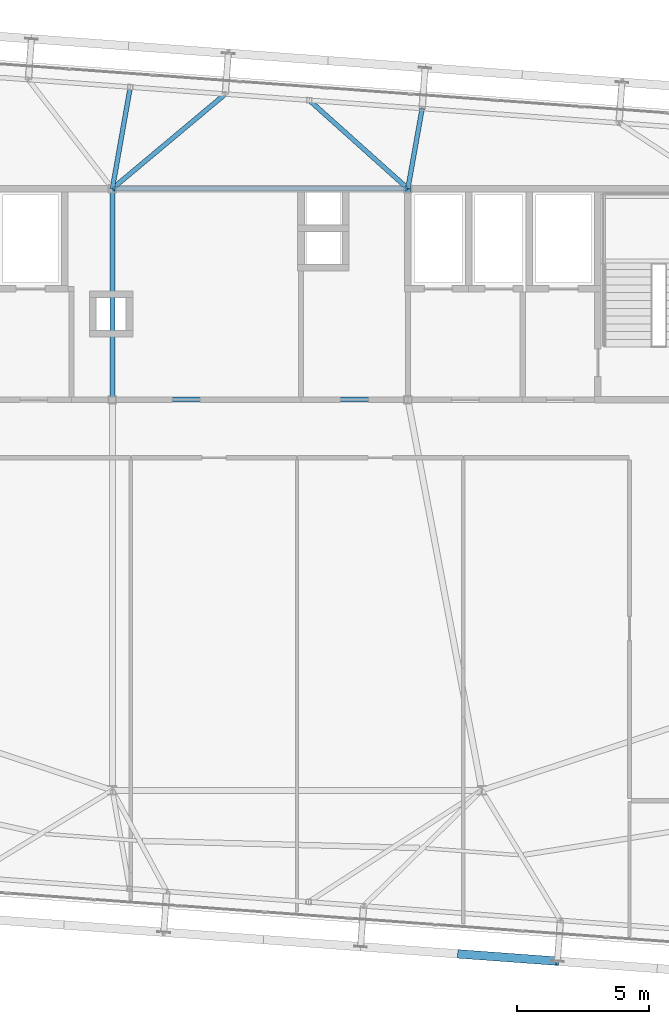
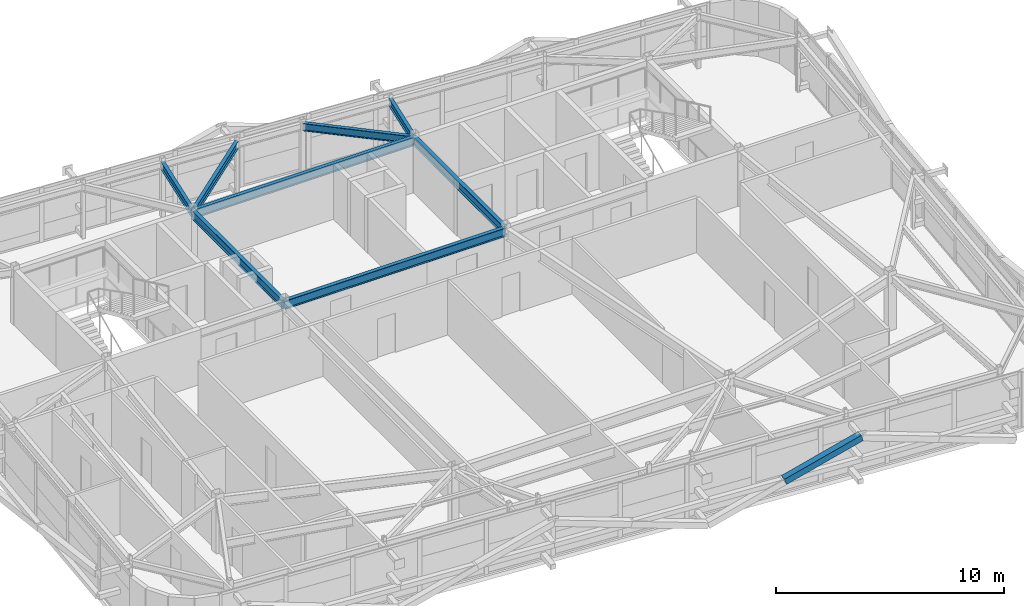
# One storey, part 18 of 42: 8 beams, 1 member.
"""IFC4 building model written with IfcOpenShell, lengths in metres."""

from ifc_helpers import new_model, si_unit, direction, frame, origin, origin_2d, place, context, subcontext, project, spatial, hollow_rectangle, i_section, extrude, source, transform, mapped, material, material_profile, profile_set, type_object, element, save


model = new_model("IFC4")

# Units and contexts
model_context = context("Model", 3, precision=1e-05, world=origin(), true_north=direction((0.0, 1.0)))
body_context = subcontext(model_context, "Body", "Model", "MODEL_VIEW")
ifc_project = project(units=[si_unit("LENGTHUNIT", "METRE"), si_unit("AREAUNIT", "SQUARE_METRE"), si_unit("VOLUMEUNIT", "CUBIC_METRE"), si_unit("PLANEANGLEUNIT", "RADIAN"), si_unit("MASSUNIT", "GRAM", prefix="KILO")], contexts=[model_context])

# Site, building, storey
site_placement = place(None, origin())
site = spatial("IfcSite", under=ifc_project, at=site_placement, CompositionType="ELEMENT")
building_placement = place(site_placement, origin())
building = spatial("IfcBuilding", under=site, at=building_placement, Name="Taldren Reach Tower", CompositionType="ELEMENT")
storey_placement = place(building_placement, frame((0.0, 0.0, 220.85009765625)))
storey = spatial("IfcBuildingStorey", under=building, at=storey_placement, Name="L67", CompositionType="ELEMENT", Elevation=220.85009765625)

# Beams
ifc_material_1 = material(Name="Steel Gr 350 (350PLUS)", Category="steel")
ifc_material_profile_1 = material_profile(ifc_material_1, i_section(OverallWidth=0.19091796875, OverallDepth=0.4599609375, WebThickness=0.010009765625, FlangeThickness=0.01611328125, at=origin_2d()), Name="460UB82.1")
ifc_profile_set_1 = profile_set([ifc_material_profile_1], Name="Steel Gr 350 (350PLUS)")
beam_type_1 = type_object("IfcBeamType", Name="BM-UB460A", PredefinedType="BEAM", material=ifc_profile_set_1)
shared_shape_1 = source(origin(), body_context, "Body", "SweptSolid", [
    extrude(i_section(OverallWidth=0.19091796875, OverallDepth=0.4599609375, WebThickness=0.010009765625, FlangeThickness=0.01611328125, at=origin_2d()), origin(), (0.0, 0.0, 1.0), 11.199951171875),
])
for number, where, z_axis, x_axis, name in (
    (1, (28.0, 24.0, 2.699951171875), (1.0, 0.0, 0.0), (0.0, 1.0, 0.0), "Core-spine girder L67-SP02"),
    (2, (28.0, 32.0, 2.699951171875), (1.0, 0.0, 0.0), (0.0, 1.0, 0.0), "Core-spine girder L67-SP05"),
):
    element("IfcBeam", number, at=place(storey_placement, frame(where, z_axis=z_axis, x_axis=x_axis)), inside=storey, type_object=beam_type_1, Name=name, PredefinedType="BEAM", context=body_context, shape_type="MappedRepresentation", body=[
        mapped(shared_shape_1, transform((0.0, 0.0, 0.0), scale=1.0)),
    ])
shared_shape_2 = source(origin(), body_context, "Body", "SweptSolid", [
    extrude(i_section(OverallWidth=0.19091796875, OverallDepth=0.4599609375, WebThickness=0.010009765625, FlangeThickness=0.01611328125, at=origin_2d()), origin(), (0.0, 0.0, 1.0), 8.0),
])
for number, where, z_axis, x_axis, name in (
    (3, (28.0, 24.0, 2.699951171875), (0.0, 1.0, 0.0), (-1.0, 0.0, 0.0), "Core-spine girder L67-SP07"),
    (4, (39.199951171875, 24.0, 2.699951171875), (0.0, 1.0, 0.0), (-1.0, 0.0, 0.0), "Core-spine girder L67-SP08"),
):
    element("IfcBeam", number, at=place(storey_placement, frame(where, z_axis=z_axis, x_axis=x_axis)), inside=storey, type_object=beam_type_1, Name=name, PredefinedType="BEAM", context=body_context, shape_type="MappedRepresentation", body=[
        mapped(shared_shape_2, transform((0.0, 0.0, 0.0), scale=1.0)),
    ])
ifc_material_profile_2 = material_profile(ifc_material_1, i_section(OverallWidth=0.177978515625, OverallDepth=0.406005859375, WebThickness=0.0078125, FlangeThickness=0.0126953125, at=origin_2d()), Name="410UB59.7")
ifc_profile_set_2 = profile_set([ifc_material_profile_2], Name="Steel Gr 350 (350PLUS)")
beam_type_2 = type_object("IfcBeamType", Name="BM-UB410", PredefinedType="BEAM", material=ifc_profile_set_2)
shared_shape_3 = source(origin(), body_context, "Body", "SweptSolid", [
    extrude(i_section(OverallWidth=0.177978515625, OverallDepth=0.406005859375, WebThickness=0.0078125, FlangeThickness=0.0126953125, at=origin_2d()), origin(), (0.0, 0.0, 1.0), 3.0830078125),
])
beam_1_placement = place(storey_placement, frame((39.199951171875, 32.0, 2.726806640625), z_axis=(0.17500945263, 0.984566753191, 0.0), x_axis=(-0.984566753191, 0.17500945263, 0.0)))
element("IfcBeam", 5, at=beam_1_placement, inside=storey, type_object=beam_type_2, Name="Primary floor girder B5-N4 L67", PredefinedType="BEAM", context=body_context, shape_type="MappedRepresentation", body=[
    mapped(shared_shape_3, transform((0.0, 0.0, 0.0), scale=1.0)),
])
shared_shape_4 = source(origin(), body_context, "Body", "SweptSolid", [
    extrude(i_section(OverallWidth=0.177978515625, OverallDepth=0.406005859375, WebThickness=0.0078125, FlangeThickness=0.0126953125, at=origin_2d()), origin(), (0.0, 0.0, 1.0), 5.02001953125),
])
beam_2_placement = place(storey_placement, frame((39.199951171875, 32.0, 2.726806640625), z_axis=(-0.744827782377, 0.667256753132, 0.0), x_axis=(-0.667256753132, -0.744827782377, 0.0)))
element("IfcBeam", 6, at=beam_2_placement, inside=storey, type_object=beam_type_2, Name="Primary floor girder B5-PJN2 L67", PredefinedType="BEAM", context=body_context, shape_type="MappedRepresentation", body=[
    mapped(shared_shape_4, transform((0.0, 0.0, 0.0), scale=1.0)),
])
shared_shape_5 = source(origin(), body_context, "Body", "SweptSolid", [
    extrude(i_section(OverallWidth=0.177978515625, OverallDepth=0.406005859375, WebThickness=0.0078125, FlangeThickness=0.0126953125, at=origin_2d()), origin(), (0.0, 0.0, 1.0), 5.58154296875),
])
beam_3_placement = place(storey_placement, frame((28.0, 32.0, 2.726806640625), z_axis=(0.766724126108, 0.641976724222, 0.0), x_axis=(-0.641976724222, 0.766724126108, 0.0)))
element("IfcBeam", 7, at=beam_3_placement, inside=storey, type_object=beam_type_2, Name="Primary floor girder B5-N3 L67", PredefinedType="BEAM", context=body_context, shape_type="MappedRepresentation", body=[
    mapped(shared_shape_5, transform((0.0, 0.0, 0.0), scale=1.0)),
])
shared_shape_6 = source(origin(), body_context, "Body", "SweptSolid", [
    extrude(i_section(OverallWidth=0.177978515625, OverallDepth=0.406005859375, WebThickness=0.0078125, FlangeThickness=0.0126953125, at=origin_2d()), origin(), (0.0, 0.0, 1.0), 3.9072265625),
])
beam_4_placement = place(storey_placement, frame((28.0, 32.0, 2.726806640625), z_axis=(0.173835238379, 0.984774750843, 0.0), x_axis=(-0.984774750843, 0.173835238379, 0.0)))
element("IfcBeam", 8, at=beam_4_placement, inside=storey, type_object=beam_type_2, Name="Primary floor girder B5-PJN1 L67", PredefinedType="BEAM", context=body_context, shape_type="MappedRepresentation", body=[
    mapped(shared_shape_6, transform((0.0, 0.0, 0.0), scale=1.0)),
])

# Member
ifc_material_2 = material(Name="Steel Gr 450 (C450L0)", Category="steel")
ifc_material_profile_3 = material_profile(ifc_material_2, hollow_rectangle(XDim=0.324951171875, YDim=0.324951171875, WallThickness=0.0126953125, at=origin_2d()), Name="325x325x12.7SHS")
ifc_profile_set_3 = profile_set([ifc_material_profile_3], Name="Steel Gr 450 (C450L0)")
member_type = type_object("IfcMemberType", Name="MB-BR324", PredefinedType="BRACE", material=ifc_profile_set_3)
shared_shape_7 = source(origin(), body_context, "Body", "SweptSolid", [
    extrude(hollow_rectangle(XDim=0.324951171875, YDim=0.324951171875, WallThickness=0.0126953125, at=origin_2d()), origin(), (0.0, 0.0, 1.0), 3.932373046875),
])
member_placement = place(storey_placement, frame((41.13671875, 2.9970703125, 1.434814453125), z_axis=(0.948511132845, -0.069657644394, 0.308989390507), x_axis=(0.07324169103, 0.997314220642, 0.0)))
element("IfcMember", 9, at=member_placement, inside=storey, type_object=member_type, Name="Exoskeleton Diagrid Brace B5-S4 L67", PredefinedType="BRACE", context=body_context, shape_type="MappedRepresentation", body=[
    mapped(shared_shape_7, transform((0.0, 0.0, 0.0), scale=1.0)),
])

save(model, "model.ifc")
